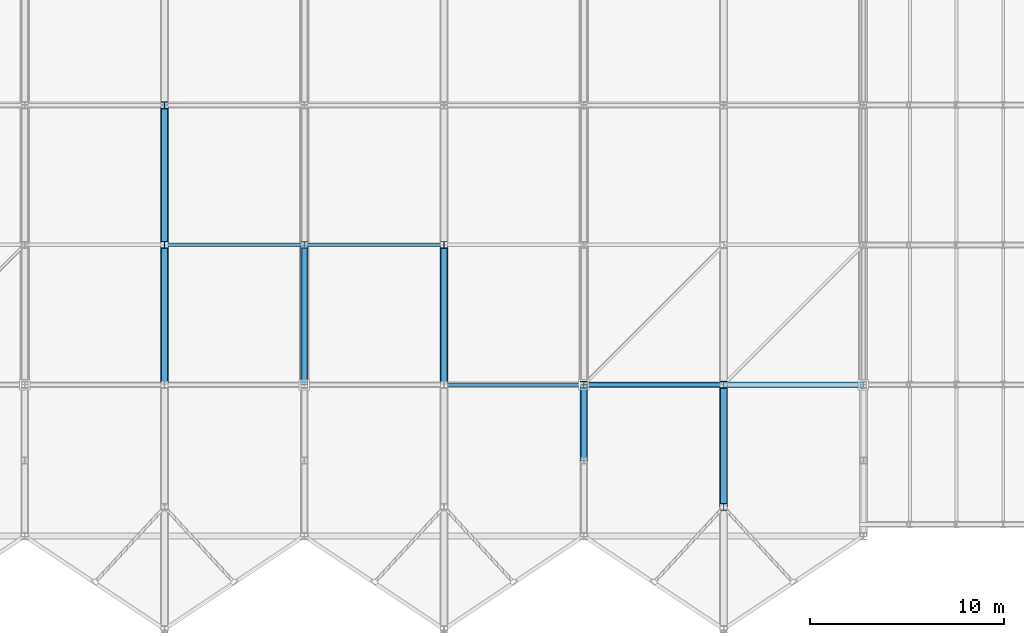
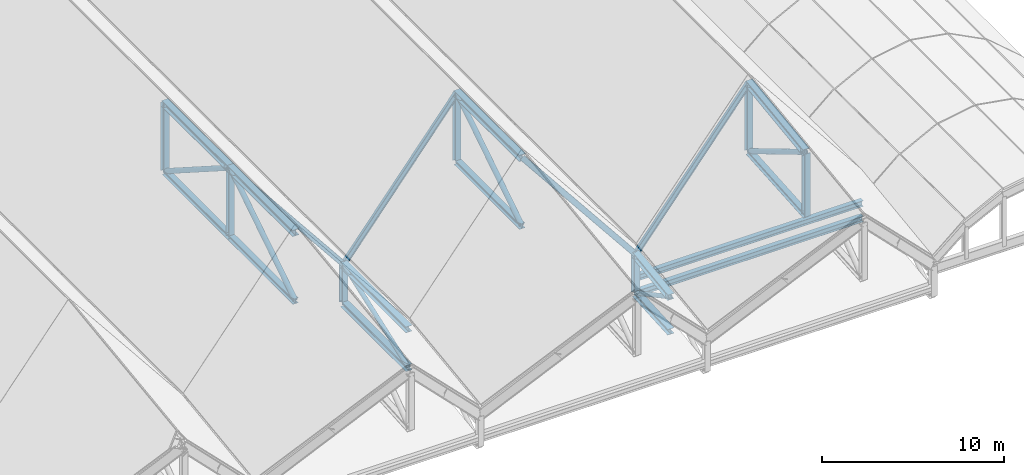
# One storey, part 12 of 60: 29 members, 2 beams.
"""IFC4 building model written with IfcOpenShell, lengths in metres."""

from ifc_helpers import new_model, si_unit, direction, frame, origin, origin_2d, place, context, subcontext, project, spatial, hollow_circle, i_section, extrude, material, material_profile, profile_set, type_object, element, save


model = new_model("IFC4")

# Units and contexts
model_context = context("Model", 3, precision=1e-05, world=origin(), true_north=direction((0.0, 1.0)))
body_context = subcontext(model_context, "Body", "Model", "MODEL_VIEW")
ifc_project = project(units=[si_unit("LENGTHUNIT", "METRE"), si_unit("AREAUNIT", "SQUARE_METRE"), si_unit("VOLUMEUNIT", "CUBIC_METRE"), si_unit("PLANEANGLEUNIT", "RADIAN"), si_unit("MASSUNIT", "GRAM", prefix="KILO")], contexts=[model_context])

# Site, building, storey
site_placement = place(None, origin())
site = spatial("IfcSite", under=ifc_project, at=site_placement, CompositionType="ELEMENT")
building_placement = place(site_placement, origin())
building = spatial("IfcBuilding", under=site, at=building_placement, Name="Vesperath Aquatics Centre", CompositionType="ELEMENT")
storey_placement = place(building_placement, frame((0.0, 0.0, 27.60009765625)))
storey = spatial("IfcBuildingStorey", under=building, at=storey_placement, Name="RF", CompositionType="ELEMENT", Elevation=27.60009765625)

# Beams
ifc_material_1 = material(Name="Steel Q355C", Category="steel")
ifc_material_profile_1 = material_profile(ifc_material_1, i_section(OverallWidth=0.300048828125, OverallDepth=0.389892578125, WebThickness=0.010009765625, FlangeThickness=0.01611328125, FilletRadius=0.02197265625, at=origin_2d()), Name="HM 390x300x10x16")
ifc_profile_set_1 = profile_set([ifc_material_profile_1], Name="Steel Q355C")
beam_type_1 = type_object("IfcBeamType", Name="BM-RB02", PredefinedType="BEAM", material=ifc_profile_set_1)
beam_1_placement = place(storey_placement, frame((86.39990234375, 14.39990234375, -12.400146484375), z_axis=(1.0, 0.0, 0.0), x_axis=(0.0, 1.0, 0.0)))
element("IfcBeam", 1, at=beam_1_placement, inside=storey, type_object=beam_type_1, Name="Natatorium Roof Deck Support Beam B11 G7-14.4", PredefinedType="BEAM", context=body_context, shape_type="SweptSolid", body=[
    extrude(i_section(OverallWidth=0.300048828125, OverallDepth=0.389892578125, WebThickness=0.010009765625, FlangeThickness=0.01611328125, FilletRadius=0.02197265625, at=origin_2d()), origin(), (0.0, 0.0, 1.0), 14.400146484375),
])
ifc_material_profile_2 = material_profile(ifc_material_1, i_section(OverallWidth=0.300048828125, OverallDepth=0.389892578125, WebThickness=0.010009765625, FlangeThickness=0.01611328125, FilletRadius=0.02197265625, at=origin_2d()), Name="HM 390x300x10x16")
ifc_profile_set_2 = profile_set([ifc_material_profile_2], Name="Steel Q355C")
beam_type_2 = type_object("IfcBeamType", Name="BM-RB06", PredefinedType="BEAM", material=ifc_profile_set_2)
beam_2_placement = place(storey_placement, frame((86.39990234375, 14.39990234375, -11.359375), z_axis=(1.0, 0.0, 0.0), x_axis=(0.0, 1.0, 0.0)))
element("IfcBeam", 2, at=beam_2_placement, inside=storey, type_object=beam_type_2, Name="Natatorium Roof Deck Support Beam B11 G7-14.4", PredefinedType="BEAM", context=body_context, shape_type="SweptSolid", body=[
    extrude(i_section(OverallWidth=0.300048828125, OverallDepth=0.389892578125, WebThickness=0.010009765625, FlangeThickness=0.01611328125, FilletRadius=0.02197265625, at=origin_2d()), origin(), (0.0, 0.0, 1.0), 14.400146484375),
])

# Members
ifc_material_2 = material(Name="Steel Q355D", Category="steel")
ifc_material_profile_3 = material_profile(ifc_material_2, i_section(OverallWidth=0.39990234375, OverallDepth=0.39990234375, WebThickness=0.012939453125, FlangeThickness=0.02099609375, FilletRadius=0.02197265625, at=origin_2d()), Name="HW 400x400x13x21")
ifc_profile_set_3 = profile_set([ifc_material_profile_3], Name="Steel Q355D")
member_type_1 = type_object("IfcMemberType", Name="MB-BC01", PredefinedType="CHORD", material=ifc_profile_set_3)
member_1_placement = place(storey_placement, frame((72.0, 14.39990234375, -12.400146484375), z_axis=(0.0, 1.0, 0.0), x_axis=(-1.0, 0.0, 0.0)))
element("IfcMember", 3, at=member_1_placement, inside=storey, type_object=member_type_1, Name="Natatorium ROOF TRUSS Bottom Chord BC01 G11-3", PredefinedType="CHORD", context=body_context, shape_type="SweptSolid", body=[
    extrude(i_section(OverallWidth=0.39990234375, OverallDepth=0.39990234375, WebThickness=0.012939453125, FlangeThickness=0.02099609375, FilletRadius=0.02197265625, at=origin_2d()), origin(), (0.0, 0.0, 1.0), 7.2001953125),
])
member_2_placement = place(storey_placement, frame((86.39990234375, 10.5, -12.63427734375), z_axis=(0.0, 0.998202752751, 0.059927159127), x_axis=(-1.0, 0.0, 0.0)))
element("IfcMember", 4, at=member_2_placement, inside=storey, type_object=member_type_1, Name="Natatorium ROOF TRUSS Bottom Chord BC01 G13-2", PredefinedType="CHORD", context=body_context, shape_type="SweptSolid", body=[
    extrude(i_section(OverallWidth=0.39990234375, OverallDepth=0.39990234375, WebThickness=0.012939453125, FlangeThickness=0.02099609375, FilletRadius=0.02197265625, at=origin_2d()), origin(), (0.0, 0.0, 1.0), 3.906982421875),
])
ifc_material_profile_4 = material_profile(ifc_material_2, i_section(OverallWidth=0.35009765625, OverallDepth=0.35009765625, WebThickness=0.011962890625, FlangeThickness=0.01904296875, FilletRadius=0.02001953125, at=origin_2d()), Name="HW 350x350x12x19")
ifc_profile_set_4 = profile_set([ifc_material_profile_4], Name="Steel Q355D")
member_type_2 = type_object("IfcMemberType", Name="MB-BC02", PredefinedType="CHORD", material=ifc_profile_set_4)
member_3_placement = place(storey_placement, frame((64.800048828125, 14.39990234375, -5.400146484375), z_axis=(0.0, 1.0, 0.0), x_axis=(-1.0, 0.0, 0.0)))
element("IfcMember", 5, at=member_3_placement, inside=storey, type_object=member_type_2, Name="Natatorium ROOF TRUSS Bottom Chord BC02 G10-3", PredefinedType="CHORD", context=body_context, shape_type="SweptSolid", body=[
    extrude(i_section(OverallWidth=0.35009765625, OverallDepth=0.35009765625, WebThickness=0.011962890625, FlangeThickness=0.01904296875, FilletRadius=0.02001953125, at=origin_2d()), origin(), (0.0, 0.0, 1.0), 7.2001953125),
])
member_4_placement = place(storey_placement, frame((64.800048828125, 21.60009765625, -5.400146484375), z_axis=(0.0, 1.0, 0.0), x_axis=(-1.0, 0.0, 0.0)))
element("IfcMember", 6, at=member_4_placement, inside=storey, type_object=member_type_2, Name="Natatorium ROOF TRUSS Bottom Chord BC02 G10-4", PredefinedType="CHORD", context=body_context, shape_type="SweptSolid", body=[
    extrude(i_section(OverallWidth=0.35009765625, OverallDepth=0.35009765625, WebThickness=0.011962890625, FlangeThickness=0.01904296875, FilletRadius=0.02001953125, at=origin_2d()), origin(), (0.0, 0.0, 1.0), 7.199951171875),
])
member_5_placement = place(storey_placement, frame((79.199951171875, 14.39990234375, -5.400146484375), z_axis=(0.0, 1.0, 0.0), x_axis=(-1.0, 0.0, 0.0)))
element("IfcMember", 7, at=member_5_placement, inside=storey, type_object=member_type_2, Name="Natatorium ROOF TRUSS Bottom Chord BC02 G12-3", PredefinedType="CHORD", context=body_context, shape_type="SweptSolid", body=[
    extrude(i_section(OverallWidth=0.35009765625, OverallDepth=0.35009765625, WebThickness=0.011962890625, FlangeThickness=0.01904296875, FilletRadius=0.02001953125, at=origin_2d()), origin(), (0.0, 0.0, 1.0), 7.2001953125),
])
member_6_placement = place(storey_placement, frame((93.60009765625, 8.10009765625, -5.8623046875), z_axis=(0.0, 0.997319915346, 0.07316410633), x_axis=(-1.0, 0.0, 0.0)))
element("IfcMember", 8, at=member_6_placement, inside=storey, type_object=member_type_2, Name="Natatorium ROOF TRUSS Bottom Chord BC02 G14-2", PredefinedType="CHORD", context=body_context, shape_type="SweptSolid", body=[
    extrude(i_section(OverallWidth=0.35009765625, OverallDepth=0.35009765625, WebThickness=0.011962890625, FlangeThickness=0.01904296875, FilletRadius=0.02001953125, at=origin_2d()), origin(), (0.0, 0.0, 1.0), 6.316650390625),
])
ifc_material_profile_5 = material_profile(ifc_material_1, i_section(OverallWidth=0.175048828125, OverallDepth=0.35009765625, WebThickness=0.007080078125, FlangeThickness=0.010986328125, FilletRadius=0.012939453125, at=origin_2d()), Name="HN 350x175x7x11")
ifc_profile_set_5 = profile_set([ifc_material_profile_5], Name="Steel Q355C")
member_type_3 = type_object("IfcMemberType", Name="MB-PR01", PredefinedType="PURLIN", material=ifc_profile_set_5)
for number, where, z_axis, x_axis, name in (
    (9, (64.800048828125, 21.60009765625, -0.800048828125), (0.624692464322, 0.0, -0.780870876022), (0.0, 1.0, 0.0), "Natatorium Roof Purlin PR01 B10-2"),
    (10, (72.0, 21.60009765625, -9.800048828125), (0.624692464322, 0.0, 0.780870876022), (0.0, 1.0, 0.0), "Natatorium Roof Purlin PR01 B11-2"),
    (11, (79.199951171875, 14.39990234375, -0.800048828125), (0.624692464322, 0.0, -0.780870876022), (0.0, 1.0, 0.0), "Natatorium Roof Purlin PR01 B12-1"),
    (12, (86.39990234375, 14.39990234375, -9.800048828125), (0.624705380279, 0.0, 0.780860543151), (0.0, 1.0, 0.0), "Natatorium Roof Purlin PR01 B13-1"),
):
    element("IfcMember", number, at=place(storey_placement, frame(where, z_axis=z_axis, x_axis=x_axis)), inside=storey, type_object=member_type_3, Name=name, PredefinedType="PURLIN", context=body_context, shape_type="SweptSolid", body=[
        extrude(i_section(OverallWidth=0.175048828125, OverallDepth=0.35009765625, WebThickness=0.007080078125, FlangeThickness=0.010986328125, FilletRadius=0.012939453125, at=origin_2d()), origin(), (0.0, 0.0, 1.0), 11.525634765625),
    ])
ifc_material_profile_6 = material_profile(ifc_material_2, i_section(OverallWidth=0.406982421875, OverallDepth=0.427978515625, WebThickness=0.02001953125, FlangeThickness=0.034912109375, FilletRadius=0.02197265625, at=origin_2d()), Name="HW 428x407x20x35")
ifc_profile_set_6 = profile_set([ifc_material_profile_6], Name="Steel Q355D")
member_type_4 = type_object("IfcMemberType", Name="MB-TC01", PredefinedType="CHORD", material=ifc_profile_set_6)
member_7_placement = place(storey_placement, frame((64.800048828125, 14.39990234375, -0.800048828125), z_axis=(0.0, 1.0, 0.0), x_axis=(-1.0, 0.0, 0.0)))
element("IfcMember", 13, at=member_7_placement, inside=storey, type_object=member_type_4, Name="Natatorium ROOF TRUSS Top Chord TC01 G10-3", PredefinedType="CHORD", context=body_context, shape_type="SweptSolid", body=[
    extrude(i_section(OverallWidth=0.406982421875, OverallDepth=0.427978515625, WebThickness=0.02001953125, FlangeThickness=0.034912109375, FilletRadius=0.02197265625, at=origin_2d()), origin(), (0.0, 0.0, 1.0), 7.2001953125),
])
member_8_placement = place(storey_placement, frame((64.800048828125, 21.60009765625, -0.800048828125), z_axis=(0.0, 1.0, 0.0), x_axis=(-1.0, 0.0, 0.0)))
element("IfcMember", 14, at=member_8_placement, inside=storey, type_object=member_type_4, Name="Natatorium ROOF TRUSS Top Chord TC01 G10-4", PredefinedType="CHORD", context=body_context, shape_type="SweptSolid", body=[
    extrude(i_section(OverallWidth=0.406982421875, OverallDepth=0.427978515625, WebThickness=0.02001953125, FlangeThickness=0.034912109375, FilletRadius=0.02197265625, at=origin_2d()), origin(), (0.0, 0.0, 1.0), 7.199951171875),
])
member_9_placement = place(storey_placement, frame((79.199951171875, 14.39990234375, -0.800048828125), z_axis=(0.0, 1.0, 0.0), x_axis=(-1.0, 0.0, 0.0)))
element("IfcMember", 15, at=member_9_placement, inside=storey, type_object=member_type_4, Name="Natatorium ROOF TRUSS Top Chord TC01 G12-3", PredefinedType="CHORD", context=body_context, shape_type="SweptSolid", body=[
    extrude(i_section(OverallWidth=0.406982421875, OverallDepth=0.427978515625, WebThickness=0.02001953125, FlangeThickness=0.034912109375, FilletRadius=0.02197265625, at=origin_2d()), origin(), (0.0, 0.0, 1.0), 7.2001953125),
])
member_10_placement = place(storey_placement, frame((93.60009765625, 8.10009765625, -1.640625), z_axis=(0.0, 0.991215483296, 0.132256817121), x_axis=(-1.0, 0.0, 0.0)))
element("IfcMember", 16, at=member_10_placement, inside=storey, type_object=member_type_4, Name="Natatorium ROOF TRUSS Top Chord TC01 G14-2", PredefinedType="CHORD", context=body_context, shape_type="SweptSolid", body=[
    extrude(i_section(OverallWidth=0.406982421875, OverallDepth=0.427978515625, WebThickness=0.02001953125, FlangeThickness=0.034912109375, FilletRadius=0.02197265625, at=origin_2d()), origin(), (0.0, 0.0, 1.0), 6.355712890625),
])
ifc_material_profile_7 = material_profile(ifc_material_2, i_section(OverallWidth=0.39990234375, OverallDepth=0.39990234375, WebThickness=0.012939453125, FlangeThickness=0.02099609375, FilletRadius=0.02197265625, at=origin_2d()), Name="HW 400x400x13x21")
ifc_profile_set_7 = profile_set([ifc_material_profile_7], Name="Steel Q355D")
member_type_5 = type_object("IfcMemberType", Name="MB-TC02", PredefinedType="CHORD", material=ifc_profile_set_7)
member_11_placement = place(storey_placement, frame((72.0, 14.39990234375, -9.800048828125), z_axis=(0.0, 1.0, 0.0), x_axis=(-1.0, 0.0, 0.0)))
element("IfcMember", 17, at=member_11_placement, inside=storey, type_object=member_type_5, Name="Natatorium ROOF TRUSS Top Chord TC02 G11-3", PredefinedType="CHORD", context=body_context, shape_type="SweptSolid", body=[
    extrude(i_section(OverallWidth=0.39990234375, OverallDepth=0.39990234375, WebThickness=0.012939453125, FlangeThickness=0.02099609375, FilletRadius=0.02197265625, at=origin_2d()), origin(), (0.0, 0.0, 1.0), 7.2001953125),
])
member_12_placement = place(storey_placement, frame((86.39990234375, 10.5, -10.320556640625), z_axis=(0.0, 0.991210550247, 0.132293783218), x_axis=(-1.0, 0.0, 0.0)))
element("IfcMember", 18, at=member_12_placement, inside=storey, type_object=member_type_5, Name="Natatorium ROOF TRUSS Top Chord TC02 G13-2", PredefinedType="CHORD", context=body_context, shape_type="SweptSolid", body=[
    extrude(i_section(OverallWidth=0.39990234375, OverallDepth=0.39990234375, WebThickness=0.012939453125, FlangeThickness=0.02099609375, FilletRadius=0.02197265625, at=origin_2d()), origin(), (0.0, 0.0, 1.0), 3.9345703125),
])
ifc_material_profile_8 = material_profile(ifc_material_2, hollow_circle(Radius=0.161865234375, WallThickness=0.013916015625, at=origin_2d()), Name="CHS 323.9x14")
ifc_profile_set_8 = profile_set([ifc_material_profile_8], Name="Steel Q355D")
member_type_6 = type_object("IfcMemberType", Name="MB-TD01", PredefinedType="BRACE", material=ifc_profile_set_8)
member_13_placement = place(storey_placement, frame((64.800048828125, 14.467529296875, -5.35693359375), z_axis=(0.0, 0.842698461818, 0.538385830468), x_axis=(-1.0, 0.0, 0.0)))
element("IfcMember", 19, at=member_13_placement, inside=storey, type_object=member_type_6, Name="Natatorium ROOF TRUSS Diagonal TD01 G10-3", PredefinedType="BRACE", context=body_context, shape_type="SweptSolid", body=[
    extrude(hollow_circle(Radius=0.161865234375, WallThickness=0.013916015625, at=origin_2d()), origin(), (0.0, 0.0, 1.0), 8.3837890625),
])
member_14_placement = place(storey_placement, frame((64.800048828125, 21.66748046875, -0.84326171875), z_axis=(0.0, 0.84270690245, -0.538372618698), x_axis=(-1.0, 0.0, 0.0)))
element("IfcMember", 20, at=member_14_placement, inside=storey, type_object=member_type_6, Name="Natatorium ROOF TRUSS Diagonal TD01 G10-4", PredefinedType="BRACE", context=body_context, shape_type="SweptSolid", body=[
    extrude(hollow_circle(Radius=0.161865234375, WallThickness=0.013916015625, at=origin_2d()), origin(), (0.0, 0.0, 1.0), 8.384033203125),
])
member_15_placement = place(storey_placement, frame((79.199951171875, 14.467529296875, -5.35693359375), z_axis=(0.0, 0.842698461818, 0.538385830468), x_axis=(-1.0, 0.0, 0.0)))
element("IfcMember", 21, at=member_15_placement, inside=storey, type_object=member_type_6, Name="Natatorium ROOF TRUSS Diagonal TD01 G12-3", PredefinedType="BRACE", context=body_context, shape_type="SweptSolid", body=[
    extrude(hollow_circle(Radius=0.161865234375, WallThickness=0.013916015625, at=origin_2d()), origin(), (0.0, 0.0, 1.0), 8.3837890625),
])
member_16_placement = place(storey_placement, frame((93.60009765625, 8.168701171875, -1.681640625), z_axis=(0.0, 0.858724173278, -0.51243808819), x_axis=(-1.0, 0.0, 0.0)))
element("IfcMember", 22, at=member_16_placement, inside=storey, type_object=member_type_6, Name="Natatorium ROOF TRUSS Diagonal TD01 G14-2", PredefinedType="BRACE", context=body_context, shape_type="SweptSolid", body=[
    extrude(hollow_circle(Radius=0.161865234375, WallThickness=0.013916015625, at=origin_2d()), origin(), (0.0, 0.0, 1.0), 7.176513671875),
])
ifc_material_profile_9 = material_profile(ifc_material_2, hollow_circle(Radius=0.136474609375, WallThickness=0.011962890625, at=origin_2d()), Name="CHS 273.0x12")
ifc_profile_set_9 = profile_set([ifc_material_profile_9], Name="Steel Q355D")
member_type_7 = type_object("IfcMemberType", Name="MB-TD02", PredefinedType="BRACE", material=ifc_profile_set_9)
member_17_placement = place(storey_placement, frame((72.0, 14.475341796875, -12.373046875), z_axis=(0.0, 0.940540602568, 0.339681284324), x_axis=(-1.0, 0.0, 0.0)))
element("IfcMember", 23, at=member_17_placement, inside=storey, type_object=member_type_7, Name="Natatorium ROOF TRUSS Diagonal TD02 G11-3", PredefinedType="BRACE", context=body_context, shape_type="SweptSolid", body=[
    extrude(hollow_circle(Radius=0.136474609375, WallThickness=0.011962890625, at=origin_2d()), origin(), (0.0, 0.0, 1.0), 7.494873046875),
])
member_18_placement = place(storey_placement, frame((86.39990234375, 10.570556640625, -10.358154296875), z_axis=(0.0, 0.882381496589, -0.470534689984), x_axis=(-1.0, 0.0, 0.0)))
element("IfcMember", 24, at=member_18_placement, inside=storey, type_object=member_type_7, Name="Natatorium ROOF TRUSS Diagonal TD02 G13-2", PredefinedType="BRACE", context=body_context, shape_type="SweptSolid", body=[
    extrude(hollow_circle(Radius=0.136474609375, WallThickness=0.011962890625, at=origin_2d()), origin(), (0.0, 0.0, 1.0), 4.259765625),
])
ifc_material_profile_10 = material_profile(ifc_material_2, i_section(OverallWidth=0.35009765625, OverallDepth=0.35009765625, WebThickness=0.011962890625, FlangeThickness=0.01904296875, FilletRadius=0.02001953125, at=origin_2d()), Name="HW 350x350x12x19")
ifc_profile_set_10 = profile_set([ifc_material_profile_10], Name="Steel Q355D")
member_type_8 = type_object("IfcMemberType", Name="MB-TP01", PredefinedType="POST", material=ifc_profile_set_10)
for number, where, z_axis, x_axis, name in (
    (25, (64.800048828125, 21.60009765625, -5.400146484375), (0.0, 0.0, 1.0), (1.0, 0.0, 0.0), "Natatorium ROOF TRUSS Post TP01 G10-4"),
    (26, (64.800048828125, 28.800048828125, -5.400146484375), (0.0, 0.0, 1.0), (1.0, 0.0, 0.0), "Natatorium ROOF TRUSS Post TP01 G10-5"),
):
    element("IfcMember", number, at=place(storey_placement, frame(where, z_axis=z_axis, x_axis=x_axis)), inside=storey, type_object=member_type_8, Name=name, PredefinedType="POST", context=body_context, shape_type="SweptSolid", body=[
        extrude(i_section(OverallWidth=0.35009765625, OverallDepth=0.35009765625, WebThickness=0.011962890625, FlangeThickness=0.01904296875, FilletRadius=0.02001953125, at=origin_2d()), origin(), (0.0, 0.0, 1.0), 4.60009765625),
    ])
member_19_placement = place(storey_placement, frame((72.0, 21.60009765625, -12.400146484375), z_axis=(0.0, 0.0, 1.0), x_axis=(1.0, 0.0, 0.0)))
element("IfcMember", 27, at=member_19_placement, inside=storey, type_object=member_type_8, Name="Natatorium ROOF TRUSS Post TP01 G11-4", PredefinedType="POST", context=body_context, shape_type="SweptSolid", body=[
    extrude(i_section(OverallWidth=0.35009765625, OverallDepth=0.35009765625, WebThickness=0.011962890625, FlangeThickness=0.01904296875, FilletRadius=0.02001953125, at=origin_2d()), origin(), (0.0, 0.0, 1.0), 2.60009765625),
])
member_20_placement = place(storey_placement, frame((79.199951171875, 21.60009765625, -5.400146484375), z_axis=(0.0, 0.0, 1.0), x_axis=(1.0, 0.0, 0.0)))
element("IfcMember", 28, at=member_20_placement, inside=storey, type_object=member_type_8, Name="Natatorium ROOF TRUSS Post TP01 G12-4", PredefinedType="POST", context=body_context, shape_type="SweptSolid", body=[
    extrude(i_section(OverallWidth=0.35009765625, OverallDepth=0.35009765625, WebThickness=0.011962890625, FlangeThickness=0.01904296875, FilletRadius=0.02001953125, at=origin_2d()), origin(), (0.0, 0.0, 1.0), 4.60009765625),
])
member_21_placement = place(storey_placement, frame((86.39990234375, 14.39990234375, -12.400146484375), z_axis=(0.0, 0.0, 1.0), x_axis=(1.0, 0.0, 0.0)))
element("IfcMember", 29, at=member_21_placement, inside=storey, type_object=member_type_8, Name="Natatorium ROOF TRUSS Post TP01 G13-3", PredefinedType="POST", context=body_context, shape_type="SweptSolid", body=[
    extrude(i_section(OverallWidth=0.35009765625, OverallDepth=0.35009765625, WebThickness=0.011962890625, FlangeThickness=0.01904296875, FilletRadius=0.02001953125, at=origin_2d()), origin(), (0.0, 0.0, 1.0), 2.60009765625),
])
member_22_placement = place(storey_placement, frame((93.60009765625, 8.10009765625, -5.8623046875), z_axis=(0.0, 0.0, 1.0), x_axis=(1.0, 0.0, 0.0)))
element("IfcMember", 30, at=member_22_placement, inside=storey, type_object=member_type_8, Name="Natatorium ROOF TRUSS Post TP01 G14-2", PredefinedType="POST", context=body_context, shape_type="SweptSolid", body=[
    extrude(i_section(OverallWidth=0.35009765625, OverallDepth=0.35009765625, WebThickness=0.011962890625, FlangeThickness=0.01904296875, FilletRadius=0.02001953125, at=origin_2d()), origin(), (0.0, 0.0, 1.0), 4.2216796875),
])
member_23_placement = place(storey_placement, frame((93.60009765625, 14.39990234375, -5.400146484375), z_axis=(0.0, 0.0, 1.0), x_axis=(1.0, 0.0, 0.0)))
element("IfcMember", 31, at=member_23_placement, inside=storey, type_object=member_type_8, Name="Natatorium ROOF TRUSS Post TP01 G14-3", PredefinedType="POST", context=body_context, shape_type="SweptSolid", body=[
    extrude(i_section(OverallWidth=0.35009765625, OverallDepth=0.35009765625, WebThickness=0.011962890625, FlangeThickness=0.01904296875, FilletRadius=0.02001953125, at=origin_2d()), origin(), (0.0, 0.0, 1.0), 4.60009765625),
])

save(model, "model.ifc")
